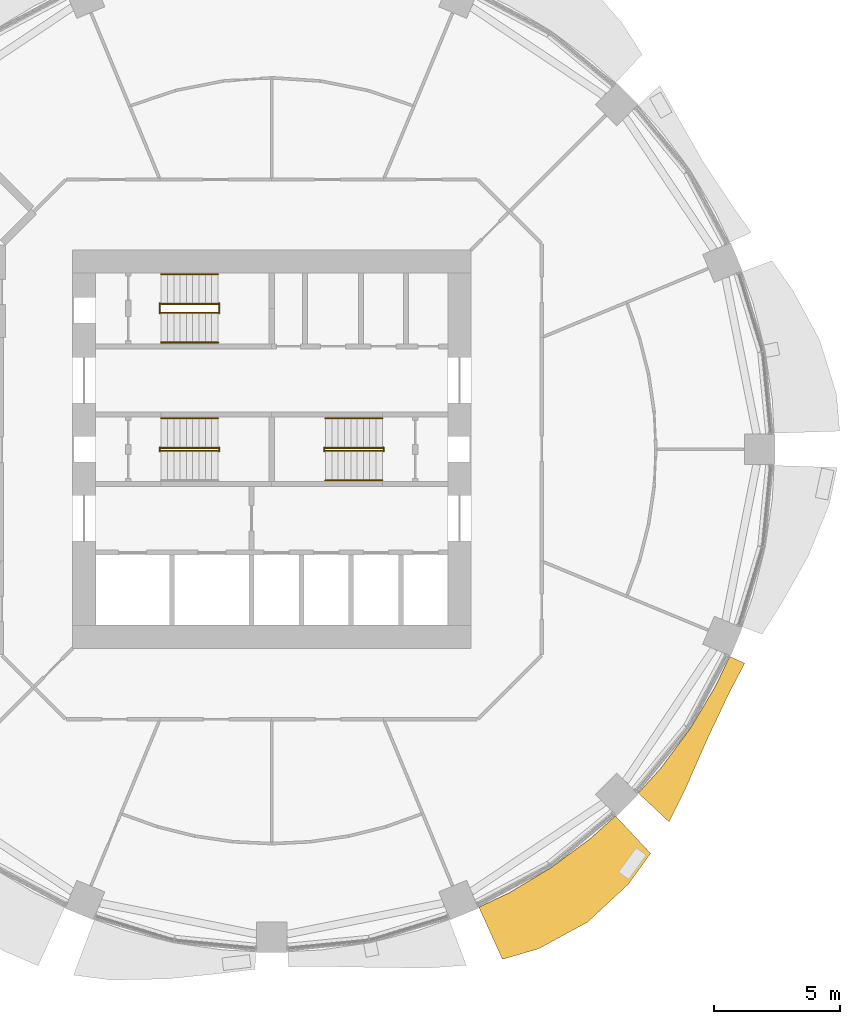
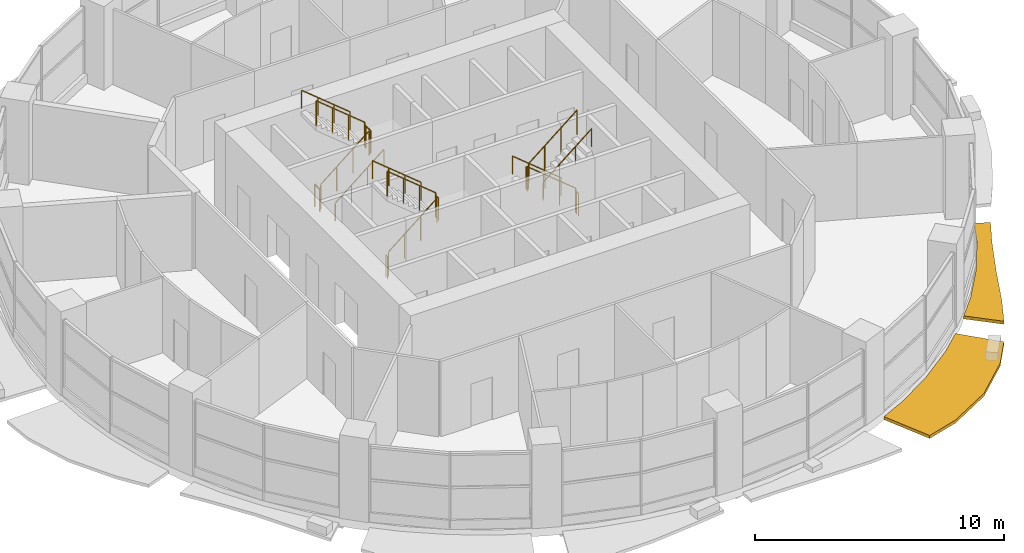
# One storey, part 12 of 14: 17 railings, 2 shading devices.
"""IFC4 building model written with IfcOpenShell, lengths in metres."""

from ifc_helpers import new_model, si_unit, direction, frame, origin, origin_2d, place, context, subcontext, project, spatial, polyline, circle, outline, extrude, material, type_object, element, save


model = new_model("IFC4")

# Units and contexts
model_context = context("Model", 3, precision=1e-05, world=origin(), true_north=direction((0.0, 1.0)))
body_context = subcontext(model_context, "Body", "Model", "MODEL_VIEW")
ifc_project = project(units=[si_unit("LENGTHUNIT", "METRE"), si_unit("AREAUNIT", "SQUARE_METRE"), si_unit("VOLUMEUNIT", "CUBIC_METRE"), si_unit("PLANEANGLEUNIT", "RADIAN"), si_unit("MASSUNIT", "GRAM", prefix="KILO")], contexts=[model_context])

# Site, building, storey
site_placement = place(None, origin())
site = spatial("IfcSite", under=ifc_project, at=site_placement, CompositionType="ELEMENT")
building_placement = place(site_placement, origin())
building = spatial("IfcBuilding", under=site, at=building_placement, Name="Polderwave Tower", CompositionType="ELEMENT")
storey_placement = place(building_placement, frame((0.0, 0.0, 14.39990234375)))
storey = spatial("IfcBuildingStorey", under=building, at=storey_placement, Name="L03", CompositionType="ELEMENT", Elevation=14.39990234375)

# Railings
ifc_material_1 = material(Name="Stainless steel", Category="steel")
railing_type_1 = type_object("IfcRailingType", Name="Stair guard 1100", PredefinedType="GUARDRAIL", material=ifc_material_1)
railing_1_placement = place(storey_placement, frame((-4.3740234375, -0.051025390625, 0.0849609375)))
element("IfcRailing", 1, at=railing_1_placement, inside=storey, type_object=railing_type_1, Name="L03 ST-A stair guard 1", PredefinedType="GUARDRAIL", context=body_context, shape_type="SweptSolid", body=[
    extrude(circle(Radius=0.02392578125, at=origin_2d()), frame((0.0, 0.0, 1.1962890625), z_axis=(0.773272727269, 0.0, 0.634073567705), x_axis=(0.0, 1.0, 0.0)), (0.0, 0.0, 1.0), 2.90966796875),
    extrude(circle(Radius=0.02392578125, at=origin_2d()), origin(), (0.0, 0.0, 1.0), 1.172119140625),
    extrude(circle(Radius=0.02392578125, at=origin_2d()), frame((0.75, 0.0, 0.614990234375)), (0.0, 0.0, 1.0), 1.172119140625),
    extrude(circle(Radius=0.02392578125, at=origin_2d()), frame((1.5, 0.0, 1.22998046875)), (0.0, 0.0, 1.0), 1.172119140625),
    extrude(circle(Radius=0.02392578125, at=origin_2d()), frame((2.25, 0.0, 1.844970703125)), (0.0, 0.0, 1.0), 1.172119140625),
])
railing_2_placement = place(storey_placement, frame((-2.073974609375, -0.074951171875, 2.050048828125)))
element("IfcRailing", 2, at=railing_2_placement, inside=storey, type_object=railing_type_1, Name="L03 ST-A stair guard 2", PredefinedType="GUARDRAIL", context=body_context, shape_type="SweptSolid", body=[
    extrude(circle(Radius=0.02392578125, at=origin_2d()), frame((0.0, 0.0, 1.076171875), z_axis=(0.0, 1.0, 0.0), x_axis=(-1.0, 0.0, 0.0)), (0.0, 0.0, 1.0), 0.14990234375),
    extrude(circle(Radius=0.02099609375, at=origin_2d()), origin(), (0.0, 0.0, 1.0), 1.052001953125),
    extrude(circle(Radius=0.02099609375, at=origin_2d()), frame((0.0, 0.14990234375, 0.0)), (0.0, 0.0, 1.0), 1.052001953125),
])
railing_3_placement = place(storey_placement, frame((-2.1240234375, 0.051025390625, 2.135009765625)))
element("IfcRailing", 3, at=railing_3_placement, inside=storey, type_object=railing_type_1, Name="L03 ST-A stair guard 3", PredefinedType="GUARDRAIL", context=body_context, shape_type="SweptSolid", body=[
    extrude(circle(Radius=0.02392578125, at=origin_2d()), frame((0.0, 0.0, 1.1962890625), z_axis=(-0.773272727269, 0.0, 0.634073567705), x_axis=(0.0, -1.0, 0.0)), (0.0, 0.0, 1.0), 2.90966796875),
    extrude(circle(Radius=0.02392578125, at=origin_2d()), origin(), (0.0, 0.0, 1.0), 1.172119140625),
    extrude(circle(Radius=0.02392578125, at=origin_2d()), frame((-0.75, 0.0, 0.614990234375)), (0.0, 0.0, 1.0), 1.172119140625),
    extrude(circle(Radius=0.02392578125, at=origin_2d()), frame((-1.5, 0.0, 1.22998046875)), (0.0, 0.0, 1.0), 1.172119140625),
    extrude(circle(Radius=0.02392578125, at=origin_2d()), frame((-2.25, 0.0, 1.844970703125)), (0.0, 0.0, 1.0), 1.172119140625),
])
railing_4_placement = place(storey_placement, frame((-4.424072265625, -0.074951171875, 0.0)))
element("IfcRailing", 4, at=railing_4_placement, inside=storey, type_object=railing_type_1, Name="L03 ST-A stair guard 4", PredefinedType="GUARDRAIL", context=body_context, shape_type="SweptSolid", body=[
    extrude(circle(Radius=0.02392578125, at=origin_2d()), frame((0.0, 0.0, 1.076171875), z_axis=(0.0, 1.0, 0.0), x_axis=(-1.0, 0.0, 0.0)), (0.0, 0.0, 1.0), 0.14990234375),
    extrude(circle(Radius=0.02099609375, at=origin_2d()), origin(), (0.0, 0.0, 1.0), 1.052001953125),
    extrude(circle(Radius=0.02099609375, at=origin_2d()), frame((0.0, 0.14990234375, 0.0)), (0.0, 0.0, 1.0), 1.052001953125),
])
railing_5_placement = place(storey_placement, frame((4.3740234375, 0.051025390625, 0.0849609375)))
element("IfcRailing", 5, at=railing_5_placement, inside=storey, type_object=railing_type_1, Name="L03 ST-B stair guard 1", PredefinedType="GUARDRAIL", context=body_context, shape_type="SweptSolid", body=[
    extrude(circle(Radius=0.02392578125, at=origin_2d()), frame((0.0, 0.0, 1.1962890625), z_axis=(-0.773272727269, 0.0, 0.634073567705), x_axis=(0.0, -1.0, 0.0)), (0.0, 0.0, 1.0), 2.90966796875),
    extrude(circle(Radius=0.02392578125, at=origin_2d()), origin(), (0.0, 0.0, 1.0), 1.172119140625),
    extrude(circle(Radius=0.02392578125, at=origin_2d()), frame((-0.75, 0.0, 0.614990234375)), (0.0, 0.0, 1.0), 1.172119140625),
    extrude(circle(Radius=0.02392578125, at=origin_2d()), frame((-1.5, 0.0, 1.22998046875)), (0.0, 0.0, 1.0), 1.172119140625),
    extrude(circle(Radius=0.02392578125, at=origin_2d()), frame((-2.25, 0.0, 1.844970703125)), (0.0, 0.0, 1.0), 1.172119140625),
])
railing_6_placement = place(storey_placement, frame((2.073974609375, 0.074951171875, 2.050048828125)))
element("IfcRailing", 6, at=railing_6_placement, inside=storey, type_object=railing_type_1, Name="L03 ST-B stair guard 2", PredefinedType="GUARDRAIL", context=body_context, shape_type="SweptSolid", body=[
    extrude(circle(Radius=0.02392578125, at=origin_2d()), frame((0.0, 0.0, 1.076171875), z_axis=(0.0, -1.0, 0.0), x_axis=(1.0, 0.0, 0.0)), (0.0, 0.0, 1.0), 0.14990234375),
    extrude(circle(Radius=0.02099609375, at=origin_2d()), origin(), (0.0, 0.0, 1.0), 1.052001953125),
    extrude(circle(Radius=0.02099609375, at=origin_2d()), frame((0.0, -0.14990234375, 0.0)), (0.0, 0.0, 1.0), 1.052001953125),
])
railing_7_placement = place(storey_placement, frame((2.1240234375, -0.051025390625, 2.135009765625)))
element("IfcRailing", 7, at=railing_7_placement, inside=storey, type_object=railing_type_1, Name="L03 ST-B stair guard 3", PredefinedType="GUARDRAIL", context=body_context, shape_type="SweptSolid", body=[
    extrude(circle(Radius=0.02392578125, at=origin_2d()), frame((0.0, 0.0, 1.1962890625), z_axis=(0.773272727269, 0.0, 0.634073567705), x_axis=(0.0, 1.0, 0.0)), (0.0, 0.0, 1.0), 2.90966796875),
    extrude(circle(Radius=0.02392578125, at=origin_2d()), origin(), (0.0, 0.0, 1.0), 1.172119140625),
    extrude(circle(Radius=0.02392578125, at=origin_2d()), frame((0.75, 0.0, 0.614990234375)), (0.0, 0.0, 1.0), 1.172119140625),
    extrude(circle(Radius=0.02392578125, at=origin_2d()), frame((1.5, 0.0, 1.22998046875)), (0.0, 0.0, 1.0), 1.172119140625),
    extrude(circle(Radius=0.02392578125, at=origin_2d()), frame((2.25, 0.0, 1.844970703125)), (0.0, 0.0, 1.0), 1.172119140625),
])
railing_8_placement = place(storey_placement, frame((4.424072265625, 0.074951171875, 0.0)))
element("IfcRailing", 8, at=railing_8_placement, inside=storey, type_object=railing_type_1, Name="L03 ST-B stair guard 4", PredefinedType="GUARDRAIL", context=body_context, shape_type="SweptSolid", body=[
    extrude(circle(Radius=0.02392578125, at=origin_2d()), frame((0.0, 0.0, 1.076171875), z_axis=(0.0, -1.0, 0.0), x_axis=(1.0, 0.0, 0.0)), (0.0, 0.0, 1.0), 0.14990234375),
    extrude(circle(Radius=0.02099609375, at=origin_2d()), origin(), (0.0, 0.0, 1.0), 1.052001953125),
    extrude(circle(Radius=0.02099609375, at=origin_2d()), frame((0.0, -0.14990234375, 0.0)), (0.0, 0.0, 1.0), 1.052001953125),
])
railing_9_placement = place(storey_placement, frame((-4.3740234375, 5.39794921875, 0.0849609375)))
element("IfcRailing", 9, at=railing_9_placement, inside=storey, type_object=railing_type_1, Name="L03 ST-C stair guard 1", PredefinedType="GUARDRAIL", context=body_context, shape_type="SweptSolid", body=[
    extrude(circle(Radius=0.02392578125, at=origin_2d()), frame((0.0, 0.0, 1.1962890625), z_axis=(0.773272727269, 0.0, 0.634073567705), x_axis=(0.0, 1.0, 0.0)), (0.0, 0.0, 1.0), 2.90966796875),
    extrude(circle(Radius=0.02392578125, at=origin_2d()), origin(), (0.0, 0.0, 1.0), 1.172119140625),
    extrude(circle(Radius=0.02392578125, at=origin_2d()), frame((0.75, 0.0, 0.614990234375)), (0.0, 0.0, 1.0), 1.172119140625),
    extrude(circle(Radius=0.02392578125, at=origin_2d()), frame((1.5, 0.0, 1.22998046875)), (0.0, 0.0, 1.0), 1.172119140625),
    extrude(circle(Radius=0.02392578125, at=origin_2d()), frame((2.25, 0.0, 1.844970703125)), (0.0, 0.0, 1.0), 1.172119140625),
])
railing_10_placement = place(storey_placement, frame((-2.073974609375, 5.3740234375, 2.050048828125)))
element("IfcRailing", 10, at=railing_10_placement, inside=storey, type_object=railing_type_1, Name="L03 ST-C stair guard 2", PredefinedType="GUARDRAIL", context=body_context, shape_type="SweptSolid", body=[
    extrude(circle(Radius=0.02392578125, at=origin_2d()), frame((0.0, 0.0, 1.076171875), z_axis=(0.0, 1.0, 0.0), x_axis=(-1.0, 0.0, 0.0)), (0.0, 0.0, 1.0), 0.39990234375),
    extrude(circle(Radius=0.02099609375, at=origin_2d()), origin(), (0.0, 0.0, 1.0), 1.052001953125),
    extrude(circle(Radius=0.02099609375, at=origin_2d()), frame((0.0, 0.39990234375, 0.0)), (0.0, 0.0, 1.0), 1.052001953125),
])
railing_11_placement = place(storey_placement, frame((-2.1240234375, 5.75, 2.135009765625)))
element("IfcRailing", 11, at=railing_11_placement, inside=storey, type_object=railing_type_1, Name="L03 ST-C stair guard 3", PredefinedType="GUARDRAIL", context=body_context, shape_type="SweptSolid", body=[
    extrude(circle(Radius=0.02392578125, at=origin_2d()), frame((0.0, 0.0, 1.1962890625), z_axis=(-0.773272727269, 0.0, 0.634073567705), x_axis=(0.0, -1.0, 0.0)), (0.0, 0.0, 1.0), 2.90966796875),
    extrude(circle(Radius=0.02392578125, at=origin_2d()), origin(), (0.0, 0.0, 1.0), 1.172119140625),
    extrude(circle(Radius=0.02392578125, at=origin_2d()), frame((-0.75, 0.0, 0.614990234375)), (0.0, 0.0, 1.0), 1.172119140625),
    extrude(circle(Radius=0.02392578125, at=origin_2d()), frame((-1.5, 0.0, 1.22998046875)), (0.0, 0.0, 1.0), 1.172119140625),
    extrude(circle(Radius=0.02392578125, at=origin_2d()), frame((-2.25, 0.0, 1.844970703125)), (0.0, 0.0, 1.0), 1.172119140625),
])
railing_12_placement = place(storey_placement, frame((-4.424072265625, 5.3740234375, 0.0)))
element("IfcRailing", 12, at=railing_12_placement, inside=storey, type_object=railing_type_1, Name="L03 ST-C stair guard 4", PredefinedType="GUARDRAIL", context=body_context, shape_type="SweptSolid", body=[
    extrude(circle(Radius=0.02392578125, at=origin_2d()), frame((0.0, 0.0, 1.076171875), z_axis=(0.0, 1.0, 0.0), x_axis=(-1.0, 0.0, 0.0)), (0.0, 0.0, 1.0), 0.39990234375),
    extrude(circle(Radius=0.02099609375, at=origin_2d()), origin(), (0.0, 0.0, 1.0), 1.052001953125),
    extrude(circle(Radius=0.02099609375, at=origin_2d()), frame((0.0, 0.39990234375, 0.0)), (0.0, 0.0, 1.0), 1.052001953125),
])
railing_type_2 = type_object("IfcRailingType", Name="Stair handrail 900", PredefinedType="HANDRAIL", material=ifc_material_1)
for number, where, name in (
    (13, (-2.1240234375, 1.22509765625, 2.255126953125), "L03 ST-A stair handrail 2"),
    (14, (4.3740234375, 1.22509765625, 0.205078125), "L03 ST-B stair handrail 1"),
):
    element("IfcRailing", number, at=place(storey_placement, frame(where)), inside=storey, type_object=railing_type_2, Name=name, PredefinedType="HANDRAIL", context=body_context, shape_type="SweptSolid", body=[
        extrude(circle(Radius=0.02392578125, at=origin_2d()), frame((0.0, 0.0, 0.8759765625), z_axis=(-0.773272727269, 0.0, 0.634073567705), x_axis=(0.0, -1.0, 0.0)), (0.0, 0.0, 1.0), 2.90966796875),
        extrude(circle(Radius=0.02099609375, at=origin_2d()), origin(), (0.0, 0.0, 1.0), 0.851806640625),
        extrude(circle(Radius=0.02099609375, at=origin_2d()), frame((-0.75, 0.0, 0.614990234375)), (0.0, 0.0, 1.0), 0.851806640625),
        extrude(circle(Radius=0.02099609375, at=origin_2d()), frame((-1.5, 0.0, 1.22998046875)), (0.0, 0.0, 1.0), 0.851806640625),
        extrude(circle(Radius=0.02099609375, at=origin_2d()), frame((-2.25, 0.0, 1.844970703125)), (0.0, 0.0, 1.0), 0.851806640625),
    ])
for number, where, name in (
    (15, (2.1240234375, -1.22509765625, 2.255126953125), "L03 ST-B stair handrail 2"),
    (16, (-4.3740234375, 4.22412109375, 0.205078125), "L03 ST-C stair handrail 1"),
):
    element("IfcRailing", number, at=place(storey_placement, frame(where)), inside=storey, type_object=railing_type_2, Name=name, PredefinedType="HANDRAIL", context=body_context, shape_type="SweptSolid", body=[
        extrude(circle(Radius=0.02392578125, at=origin_2d()), frame((0.0, 0.0, 0.8759765625), z_axis=(0.773272727269, 0.0, 0.634073567705), x_axis=(0.0, 1.0, 0.0)), (0.0, 0.0, 1.0), 2.90966796875),
        extrude(circle(Radius=0.02099609375, at=origin_2d()), origin(), (0.0, 0.0, 1.0), 0.851806640625),
        extrude(circle(Radius=0.02099609375, at=origin_2d()), frame((0.75, 0.0, 0.614990234375)), (0.0, 0.0, 1.0), 0.851806640625),
        extrude(circle(Radius=0.02099609375, at=origin_2d()), frame((1.5, 0.0, 1.22998046875)), (0.0, 0.0, 1.0), 0.851806640625),
        extrude(circle(Radius=0.02099609375, at=origin_2d()), frame((2.25, 0.0, 1.844970703125)), (0.0, 0.0, 1.0), 0.851806640625),
    ])
railing_13_placement = place(storey_placement, frame((-2.1240234375, 6.924072265625, 2.255126953125)))
element("IfcRailing", 17, at=railing_13_placement, inside=storey, type_object=railing_type_2, Name="L03 ST-C stair handrail 2", PredefinedType="HANDRAIL", context=body_context, shape_type="SweptSolid", body=[
    extrude(circle(Radius=0.02392578125, at=origin_2d()), frame((0.0, 0.0, 0.8759765625), z_axis=(-0.773272727269, 0.0, 0.634073567705), x_axis=(0.0, -1.0, 0.0)), (0.0, 0.0, 1.0), 2.90966796875),
    extrude(circle(Radius=0.02099609375, at=origin_2d()), origin(), (0.0, 0.0, 1.0), 0.851806640625),
    extrude(circle(Radius=0.02099609375, at=origin_2d()), frame((-0.75, 0.0, 0.614990234375)), (0.0, 0.0, 1.0), 0.851806640625),
    extrude(circle(Radius=0.02099609375, at=origin_2d()), frame((-1.5, 0.0, 1.22998046875)), (0.0, 0.0, 1.0), 0.851806640625),
    extrude(circle(Radius=0.02099609375, at=origin_2d()), frame((-2.25, 0.0, 1.844970703125)), (0.0, 0.0, 1.0), 0.851806640625),
])

# Shading devices
ifc_material_2 = material(Name="Terracotta", Category="masonry")
shading_device_type = type_object("IfcShadingDeviceType", Name="Terracotta sunshade band", PredefinedType="USERDEFINED", material=ifc_material_2)
shading_device_1_placement = place(storey_placement, frame((0.0, 0.0, -0.39990234375)))
element("IfcShadingDevice", 18, at=shading_device_1_placement, inside=storey, type_object=shading_device_type, Name="Sunshade band L03 14", ObjectType="SUNSHADE", PredefinedType="USERDEFINED", context=body_context, shape_type="SweptSolid", body=[
    extrude(outline(polyline([(8.188720703125, -18.10302734375), (9.376220703125, -17.54150390625), (11.05029296875, -16.537841796875), (12.6181640625, -15.375244140625), (13.59130859375, -14.492919921875), (14.9814453125, -15.97509765625), (14.10693359375, -17.189208984375), (12.489501953125, -18.69189453125), (10.5546875, -19.746337890625), (9.120849609375, -20.164306640625), (8.188720703125, -18.10302734375)])), origin(), (0.0, 0.0, 1.0), 0.14990234375),
])
shading_device_2_placement = place(storey_placement, frame((0.0, 0.0, -0.39990234375)))
element("IfcShadingDevice", 19, at=shading_device_2_placement, inside=storey, type_object=shading_device_type, Name="Sunshade band L03 15", ObjectType="SUNSHADE", PredefinedType="USERDEFINED", context=body_context, shape_type="SweptSolid", body=[
    extrude(outline(polyline([(14.492919921875, -13.59130859375), (15.375244140625, -12.6181640625), (16.537841796875, -11.05029296875), (17.54150390625, -9.376220703125), (18.10302734375, -8.188720703125), (18.701416015625, -8.459228515625), (18.072021484375, -9.65966796875), (17.204833984375, -11.495849609375), (16.35791015625, -13.424560546875), (15.705078125, -14.72802734375), (14.492919921875, -13.59130859375)])), origin(), (0.0, 0.0, 1.0), 0.14990234375),
])

save(model, "model.ifc")
